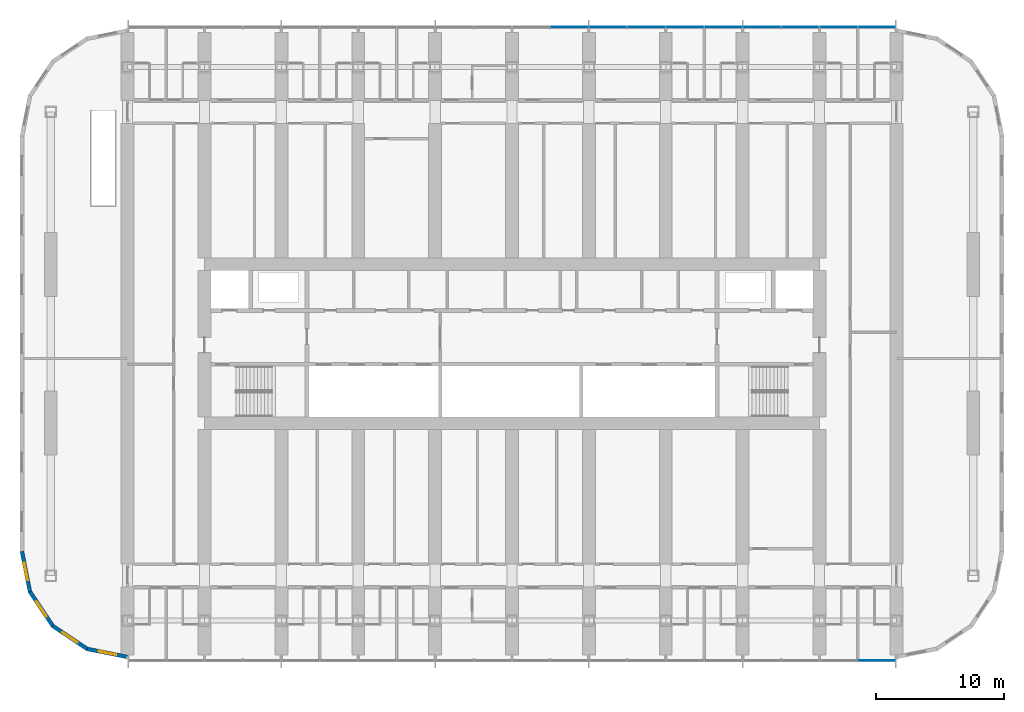
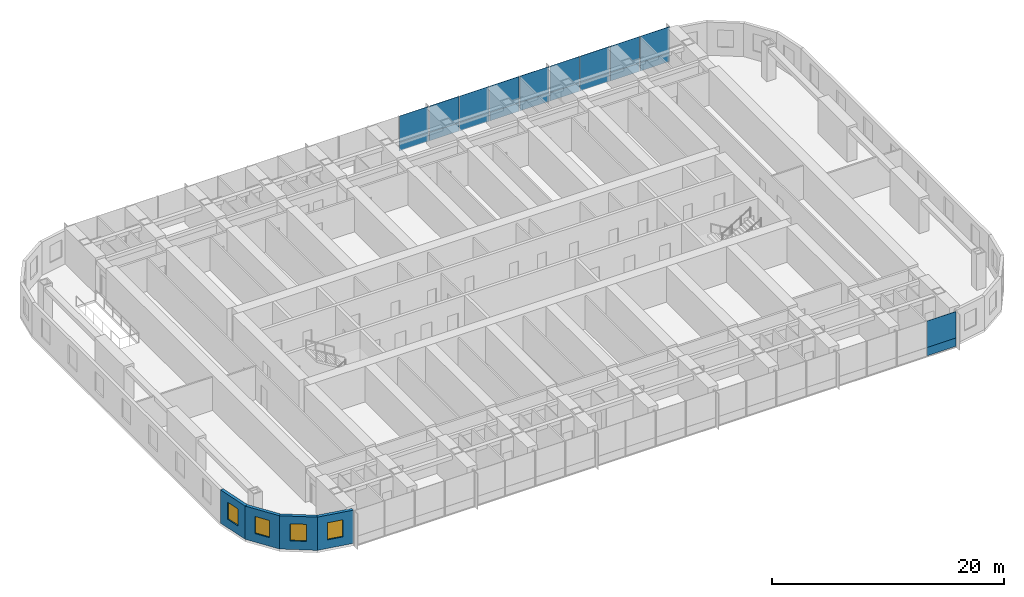
# One storey, part 9 of 23: 20 plates, 4 walls, 4 windows, 4 openings, 2 elements without a shape of their own.
"""IFC4 building model written with IfcOpenShell, lengths in metres."""

from ifc_helpers import new_model, si_unit, direction, frame, frame_2d, origin, origin_2d, place, context, subcontext, project, spatial, polyline, rectangle, outline, extrude, material, layer, layer_set, type_object, element, fill, aggregate, save


model = new_model("IFC4")

# Units and contexts
model_context = context("Model", 3, precision=1e-05, world=origin(), true_north=direction((0.0, 1.0)))
body_context = subcontext(model_context, "Body", "Model", "MODEL_VIEW")
ifc_project = project(units=[si_unit("LENGTHUNIT", "METRE"), si_unit("AREAUNIT", "SQUARE_METRE"), si_unit("VOLUMEUNIT", "CUBIC_METRE"), si_unit("PLANEANGLEUNIT", "RADIAN"), si_unit("MASSUNIT", "GRAM", prefix="KILO")], contexts=[model_context])

# Site, building, storey
site_placement = place(None, origin())
site = spatial("IfcSite", under=ifc_project, at=site_placement, CompositionType="ELEMENT")
building_placement = place(site_placement, origin())
building = spatial("IfcBuilding", under=site, at=building_placement, Name="Orbita Commons", CompositionType="ELEMENT")
storey_placement = place(building_placement, frame((0.0, 0.0, 42.699951171875)))
storey = spatial("IfcBuildingStorey", under=building, at=storey_placement, Name="L10", CompositionType="ELEMENT", Elevation=42.699951171875)

# Curtain wall, plate
ifc_material_1 = material(Name="Anodised aluminium frame, pale silver", Category="aluminium")
curtain_wall_type = type_object("IfcCurtainWallType", Name="Unitised curtain wall CW-T, vision and spandrel", PredefinedType="NOTDEFINED", material=ifc_material_1)
curtain_wall_1_placement = place(storey_placement, origin())
curtain_wall_1 = element("IfcCurtainWall", 1, at=curtain_wall_1_placement, inside=storey, type_object=curtain_wall_type, Name="Curtain wall south L10", PredefinedType="NOTDEFINED")
ifc_material_2 = material(Name="Anodised aluminium sheet on mineral wool", Category="aluminium")
ifc_layer_1 = layer(ifc_material_2, 0.050048828125)
ifc_layer_set_1 = layer_set([ifc_layer_1], Name="Anodised aluminium sheet on mineral wool")
plate_type_1 = type_object("IfcPlateType", Name="Spandrel panel, pale aluminium over insulation 50", PredefinedType="CURTAIN_PANEL", material=ifc_layer_set_1)
plate_1_placement = place(storey_placement, frame((70.47998046875, 7.2900390625, -0.14990234375), z_axis=(0.0, 0.0, 1.0), x_axis=(1.0, 0.0, 0.0)))
plate_1 = element("IfcPlate", 2, at=plate_1_placement, type_object=plate_type_1, Name="Panel 20.1 CW-L10-S", PredefinedType="CURTAIN_PANEL", context=body_context, shape_type="SweptSolid", body=[
    extrude(rectangle(XDim=2.8798828125, YDim=0.050048828125, at=origin_2d()), origin(), (0.0, 0.0, 1.0), 0.875),
])

# Curtain wall, plates
curtain_wall_2_placement = place(storey_placement, origin())
curtain_wall_2 = element("IfcCurtainWall", 3, at=curtain_wall_2_placement, inside=storey, type_object=curtain_wall_type, Name="Curtain wall north L10", PredefinedType="NOTDEFINED")
plate_2_placement = place(storey_placement, frame((70.47998046875, 56.7099609375, -0.14990234375), z_axis=(0.0, 0.0, 1.0), x_axis=(-1.0, 0.0, 0.0)))
plate_2 = element("IfcPlate", 4, at=plate_2_placement, type_object=plate_type_1, Name="Panel 1.1 CW-L10-N", PredefinedType="CURTAIN_PANEL", context=body_context, shape_type="SweptSolid", body=[
    extrude(rectangle(XDim=2.8798828125, YDim=0.050048828125, at=origin_2d()), origin(), (0.0, 0.0, 1.0), 0.875),
])
plate_3_placement = place(storey_placement, frame((67.5, 56.7099609375, -0.14990234375), z_axis=(0.0, 0.0, 1.0), x_axis=(-1.0, 0.0, 0.0)))
plate_3 = element("IfcPlate", 5, at=plate_3_placement, type_object=plate_type_1, Name="Panel 2.1 CW-L10-N", PredefinedType="CURTAIN_PANEL", context=body_context, shape_type="SweptSolid", body=[
    extrude(rectangle(XDim=2.919921875, YDim=0.050048828125, at=origin_2d()), origin(), (0.0, 0.0, 1.0), 0.875),
])
plate_4_placement = place(storey_placement, frame((64.5, 56.7099609375, -0.14990234375), z_axis=(0.0, 0.0, 1.0), x_axis=(-1.0, 0.0, 0.0)))
plate_4 = element("IfcPlate", 6, at=plate_4_placement, type_object=plate_type_1, Name="Panel 3.1 CW-L10-N", PredefinedType="CURTAIN_PANEL", context=body_context, shape_type="SweptSolid", body=[
    extrude(rectangle(XDim=2.919921875, YDim=0.050048828125, at=origin_2d()), origin(), (0.0, 0.0, 1.0), 0.875),
])
plate_5_placement = place(storey_placement, frame((61.5, 56.7099609375, -0.14990234375), z_axis=(0.0, 0.0, 1.0), x_axis=(-1.0, 0.0, 0.0)))
plate_5 = element("IfcPlate", 7, at=plate_5_placement, type_object=plate_type_1, Name="Panel 4.1 CW-L10-N", PredefinedType="CURTAIN_PANEL", context=body_context, shape_type="SweptSolid", body=[
    extrude(rectangle(XDim=2.919921875, YDim=0.050048828125, at=origin_2d()), origin(), (0.0, 0.0, 1.0), 0.875),
])
plate_6_placement = place(storey_placement, frame((58.5, 56.7099609375, -0.14990234375), z_axis=(0.0, 0.0, 1.0), x_axis=(-1.0, 0.0, 0.0)))
plate_6 = element("IfcPlate", 8, at=plate_6_placement, type_object=plate_type_1, Name="Panel 5.1 CW-L10-N", PredefinedType="CURTAIN_PANEL", context=body_context, shape_type="SweptSolid", body=[
    extrude(rectangle(XDim=2.919921875, YDim=0.050048828125, at=origin_2d()), origin(), (0.0, 0.0, 1.0), 0.875),
])
plate_7_placement = place(storey_placement, frame((55.5, 56.7099609375, -0.14990234375), z_axis=(0.0, 0.0, 1.0), x_axis=(-1.0, 0.0, 0.0)))
plate_7 = element("IfcPlate", 9, at=plate_7_placement, type_object=plate_type_1, Name="Panel 6.1 CW-L10-N", PredefinedType="CURTAIN_PANEL", context=body_context, shape_type="SweptSolid", body=[
    extrude(rectangle(XDim=2.919921875, YDim=0.050048828125, at=origin_2d()), origin(), (0.0, 0.0, 1.0), 0.875),
])
plate_8_placement = place(storey_placement, frame((52.5, 56.7099609375, -0.14990234375), z_axis=(0.0, 0.0, 1.0), x_axis=(-1.0, 0.0, 0.0)))
plate_8 = element("IfcPlate", 10, at=plate_8_placement, type_object=plate_type_1, Name="Panel 7.1 CW-L10-N", PredefinedType="CURTAIN_PANEL", context=body_context, shape_type="SweptSolid", body=[
    extrude(rectangle(XDim=2.919921875, YDim=0.050048828125, at=origin_2d()), origin(), (0.0, 0.0, 1.0), 0.875),
])
plate_9_placement = place(storey_placement, frame((49.5, 56.7099609375, -0.14990234375), z_axis=(0.0, 0.0, 1.0), x_axis=(-1.0, 0.0, 0.0)))
plate_9 = element("IfcPlate", 11, at=plate_9_placement, type_object=plate_type_1, Name="Panel 8.1 CW-L10-N", PredefinedType="CURTAIN_PANEL", context=body_context, shape_type="SweptSolid", body=[
    extrude(rectangle(XDim=2.919921875, YDim=0.050048828125, at=origin_2d()), origin(), (0.0, 0.0, 1.0), 0.875),
])
plate_10_placement = place(storey_placement, frame((46.5, 56.7099609375, -0.14990234375), z_axis=(0.0, 0.0, 1.0), x_axis=(-1.0, 0.0, 0.0)))
plate_10 = element("IfcPlate", 12, at=plate_10_placement, type_object=plate_type_1, Name="Panel 9.1 CW-L10-N", PredefinedType="CURTAIN_PANEL", context=body_context, shape_type="SweptSolid", body=[
    extrude(rectangle(XDim=2.919921875, YDim=0.050048828125, at=origin_2d()), origin(), (0.0, 0.0, 1.0), 0.875),
])

# Plate
ifc_material_3 = material(Name="Clear double glazing", Category="glass")
ifc_layer_2 = layer(ifc_material_3, 0.031982421875)
ifc_layer_set_2 = layer_set([ifc_layer_2], Name="Clear double glazing")
plate_type_2 = type_object("IfcPlateType", Name="Vision panel, clear double glazing 32", PredefinedType="CURTAIN_PANEL", material=ifc_layer_set_2)
plate_11_placement = place(storey_placement, frame((70.47998046875, 7.2900390625, 0.72509765625), z_axis=(0.0, 0.0, 1.0), x_axis=(1.0, 0.0, 0.0)))
plate_11 = element("IfcPlate", 13, at=plate_11_placement, type_object=plate_type_2, Name="Panel 20.2 CW-L10-S", PredefinedType="CURTAIN_PANEL", context=body_context, shape_type="SweptSolid", body=[
    extrude(rectangle(XDim=2.8798828125, YDim=0.031982421875, at=origin_2d()), origin(), (0.0, 0.0, 1.0), 2.77490234375),
])

aggregate(curtain_wall_1, [plate_1, plate_11])

plate_12_placement = place(storey_placement, frame((70.47998046875, 56.7099609375, 0.72509765625), z_axis=(0.0, 0.0, 1.0), x_axis=(-1.0, 0.0, 0.0)))
plate_12 = element("IfcPlate", 14, at=plate_12_placement, type_object=plate_type_2, Name="Panel 1.2 CW-L10-N", PredefinedType="CURTAIN_PANEL", context=body_context, shape_type="SweptSolid", body=[
    extrude(rectangle(XDim=2.8798828125, YDim=0.031982421875, at=origin_2d()), origin(), (0.0, 0.0, 1.0), 2.77490234375),
])

plate_13_placement = place(storey_placement, frame((67.5, 56.7099609375, 0.72509765625), z_axis=(0.0, 0.0, 1.0), x_axis=(-1.0, 0.0, 0.0)))
plate_13 = element("IfcPlate", 15, at=plate_13_placement, type_object=plate_type_2, Name="Panel 2.2 CW-L10-N", PredefinedType="CURTAIN_PANEL", context=body_context, shape_type="SweptSolid", body=[
    extrude(rectangle(XDim=2.919921875, YDim=0.031982421875, at=origin_2d()), origin(), (0.0, 0.0, 1.0), 2.77490234375),
])

plate_14_placement = place(storey_placement, frame((64.5, 56.7099609375, 0.72509765625), z_axis=(0.0, 0.0, 1.0), x_axis=(-1.0, 0.0, 0.0)))
plate_14 = element("IfcPlate", 16, at=plate_14_placement, type_object=plate_type_2, Name="Panel 3.2 CW-L10-N", PredefinedType="CURTAIN_PANEL", context=body_context, shape_type="SweptSolid", body=[
    extrude(rectangle(XDim=2.919921875, YDim=0.031982421875, at=origin_2d()), origin(), (0.0, 0.0, 1.0), 2.77490234375),
])

plate_15_placement = place(storey_placement, frame((61.5, 56.7099609375, 0.72509765625), z_axis=(0.0, 0.0, 1.0), x_axis=(-1.0, 0.0, 0.0)))
plate_15 = element("IfcPlate", 17, at=plate_15_placement, type_object=plate_type_2, Name="Panel 4.2 CW-L10-N", PredefinedType="CURTAIN_PANEL", context=body_context, shape_type="SweptSolid", body=[
    extrude(rectangle(XDim=2.919921875, YDim=0.031982421875, at=origin_2d()), origin(), (0.0, 0.0, 1.0), 2.77490234375),
])

plate_16_placement = place(storey_placement, frame((58.5, 56.7099609375, 0.72509765625), z_axis=(0.0, 0.0, 1.0), x_axis=(-1.0, 0.0, 0.0)))
plate_16 = element("IfcPlate", 18, at=plate_16_placement, type_object=plate_type_2, Name="Panel 5.2 CW-L10-N", PredefinedType="CURTAIN_PANEL", context=body_context, shape_type="SweptSolid", body=[
    extrude(rectangle(XDim=2.919921875, YDim=0.031982421875, at=origin_2d()), origin(), (0.0, 0.0, 1.0), 2.77490234375),
])

plate_17_placement = place(storey_placement, frame((55.5, 56.7099609375, 0.72509765625), z_axis=(0.0, 0.0, 1.0), x_axis=(-1.0, 0.0, 0.0)))
plate_17 = element("IfcPlate", 19, at=plate_17_placement, type_object=plate_type_2, Name="Panel 6.2 CW-L10-N", PredefinedType="CURTAIN_PANEL", context=body_context, shape_type="SweptSolid", body=[
    extrude(rectangle(XDim=2.919921875, YDim=0.031982421875, at=origin_2d()), origin(), (0.0, 0.0, 1.0), 2.77490234375),
])

plate_18_placement = place(storey_placement, frame((52.5, 56.7099609375, 0.72509765625), z_axis=(0.0, 0.0, 1.0), x_axis=(-1.0, 0.0, 0.0)))
plate_18 = element("IfcPlate", 20, at=plate_18_placement, type_object=plate_type_2, Name="Panel 7.2 CW-L10-N", PredefinedType="CURTAIN_PANEL", context=body_context, shape_type="SweptSolid", body=[
    extrude(rectangle(XDim=2.919921875, YDim=0.031982421875, at=origin_2d()), origin(), (0.0, 0.0, 1.0), 2.77490234375),
])

plate_19_placement = place(storey_placement, frame((49.5, 56.7099609375, 0.72509765625), z_axis=(0.0, 0.0, 1.0), x_axis=(-1.0, 0.0, 0.0)))
plate_19 = element("IfcPlate", 21, at=plate_19_placement, type_object=plate_type_2, Name="Panel 8.2 CW-L10-N", PredefinedType="CURTAIN_PANEL", context=body_context, shape_type="SweptSolid", body=[
    extrude(rectangle(XDim=2.919921875, YDim=0.031982421875, at=origin_2d()), origin(), (0.0, 0.0, 1.0), 2.77490234375),
])

plate_20_placement = place(storey_placement, frame((46.5, 56.7099609375, 0.72509765625), z_axis=(0.0, 0.0, 1.0), x_axis=(-1.0, 0.0, 0.0)))
plate_20 = element("IfcPlate", 22, at=plate_20_placement, type_object=plate_type_2, Name="Panel 9.2 CW-L10-N", PredefinedType="CURTAIN_PANEL", context=body_context, shape_type="SweptSolid", body=[
    extrude(rectangle(XDim=2.919921875, YDim=0.031982421875, at=origin_2d()), origin(), (0.0, 0.0, 1.0), 2.77490234375),
])

aggregate(curtain_wall_2, [plate_2, plate_12, plate_3, plate_13, plate_4, plate_14, plate_5, plate_15, plate_6, plate_16, plate_7, plate_17, plate_8, plate_18, plate_9, plate_19, plate_10, plate_20])

# Wall, opening, window
ifc_material_4 = material(Name="Precast concrete C40/50, white board-marked finish", Category="concrete")
ifc_layer_3 = layer(ifc_material_4, 0.300048828125)
ifc_layer_set_3 = layer_set([ifc_layer_3], Name="Precast concrete C40/50, white board-marked finish")
wall_type = type_object("IfcWallType", Name="Precast concrete end shield 300", PredefinedType="SOLIDWALL", material=ifc_layer_set_3)
wall_1_placement = place(storey_placement, frame((3.75, 15.800048828125, 0.0), z_axis=(0.0, 0.0, 1.0), x_axis=(0.195065901187, -0.980790137692, 0.0)))
wall_1 = element("IfcWall", 23, at=wall_1_placement, inside=storey, type_object=wall_type, Name="End shield SW chord 1 L10", PredefinedType="SOLIDWALL", context=body_context, shape_type="SweptSolid", body=[
    extrude(outline(polyline([(-0.014892578125, -0.14990234375), (3.248779296875, -0.14990234375), (3.189208984375, 0.14990234375), (0.014892578125, 0.14990234375), (-0.014892578125, -0.14990234375)])), origin(), (0.0, 0.0, 1.0), 3.5),
])
opening_1_placement = place(wall_1_placement, frame((0.909423828125, 0.0, 0.89990234375)))
opening_1 = element("IfcOpeningElement", 24, at=opening_1_placement, cuts=wall_1, Name="Opening W02", PredefinedType="OPENING", context=body_context, shape_type="SweptSolid", body=[
    extrude(rectangle(XDim=1.39990234375, YDim=1.800048828125, at=frame_2d((0.699951171875, 0.89990234375))), frame((0.0, 0.159912109375, 0.0), z_axis=(0.0, -1.0, 0.0), x_axis=(1.0, 0.0, 0.0)), (0.0, 0.0, 1.0), 0.320068359375),
])
ifc_material_5 = material(Name="Aluminium frame, clear double glazing", Category="aluminium")
window_type = type_object("IfcWindowType", Name="Deep-set window 1400x1800", PartitioningType="SINGLE_PANEL", PredefinedType="WINDOW", material=ifc_material_5)
window_1_placement = place(opening_1_placement, origin())
window_1 = element("IfcWindow", 25, at=window_1_placement, inside=storey, type_object=window_type, Name="Window L10-SW0", OverallHeight=1.800048828125, OverallWidth=1.39990234375, PartitioningType="SINGLE_PANEL", PredefinedType="WINDOW", context=body_context, shape_type="SweptSolid", body=[
    extrude(rectangle(XDim=1.39990234375, YDim=1.800048828125, at=frame_2d((0.699951171875, 0.89990234375))), frame((0.0, 0.030029296875, 0.0), z_axis=(0.0, -1.0, 0.0), x_axis=(1.0, 0.0, 0.0)), (0.0, 0.0, 1.0), 0.06005859375),
])
fill(opening_1, window_1)

wall_2_placement = place(storey_placement, frame((4.3779296875, 12.642822265625, 0.0), z_axis=(0.0, 0.0, 1.0), x_axis=(0.555609954424, -0.831443069936, 0.0)))
wall_2 = element("IfcWall", 26, at=wall_2_placement, inside=storey, type_object=wall_type, Name="End shield SW chord 2 L10", PredefinedType="SOLIDWALL", context=body_context, shape_type="SweptSolid", body=[
    extrude(outline(polyline([(-0.02978515625, -0.14990234375), (3.2490234375, -0.14990234375), (3.189453125, 0.14990234375), (0.02978515625, 0.14990234375), (-0.02978515625, -0.14990234375)])), origin(), (0.0, 0.0, 1.0), 3.5),
])
opening_2_placement = place(wall_2_placement, frame((0.909423828125, 0.0, 0.89990234375)))
opening_2 = element("IfcOpeningElement", 27, at=opening_2_placement, cuts=wall_2, Name="Opening W02", PredefinedType="OPENING", context=body_context, shape_type="SweptSolid", body=[
    extrude(rectangle(XDim=1.39990234375, YDim=1.800048828125, at=frame_2d((0.699951171875, 0.89990234375))), frame((0.0, 0.159912109375, 0.0), z_axis=(0.0, -1.0, 0.0), x_axis=(1.0, 0.0, 0.0)), (0.0, 0.0, 1.0), 0.320068359375),
])
window_2_placement = place(opening_2_placement, origin())
window_2 = element("IfcWindow", 28, at=window_2_placement, inside=storey, type_object=window_type, Name="Window L10-SW1", OverallHeight=1.800048828125, OverallWidth=1.39990234375, PartitioningType="SINGLE_PANEL", PredefinedType="WINDOW", context=body_context, shape_type="SweptSolid", body=[
    extrude(rectangle(XDim=1.39990234375, YDim=1.800048828125, at=frame_2d((0.699951171875, 0.89990234375))), frame((0.0, 0.030029296875, 0.0), z_axis=(0.0, -1.0, 0.0), x_axis=(1.0, 0.0, 0.0)), (0.0, 0.0, 1.0), 0.06005859375),
])
fill(opening_2, window_2)

wall_3_placement = place(storey_placement, frame((6.16650390625, 9.96630859375, 0.0), z_axis=(0.0, 0.0, 1.0), x_axis=(0.831478105043, -0.555557522525, 0.0)))
wall_3 = element("IfcWall", 29, at=wall_3_placement, inside=storey, type_object=wall_type, Name="End shield SW chord 3 L10", PredefinedType="SOLIDWALL", context=body_context, shape_type="SweptSolid", body=[
    extrude(outline(polyline([(-0.02978515625, -0.14990234375), (3.248779296875, -0.14990234375), (3.189208984375, 0.14990234375), (0.02978515625, 0.14990234375), (-0.02978515625, -0.14990234375)])), origin(), (0.0, 0.0, 1.0), 3.5),
])
opening_3_placement = place(wall_3_placement, frame((0.909423828125, 0.0, 0.89990234375)))
opening_3 = element("IfcOpeningElement", 30, at=opening_3_placement, cuts=wall_3, Name="Opening W02", PredefinedType="OPENING", context=body_context, shape_type="SweptSolid", body=[
    extrude(rectangle(XDim=1.39990234375, YDim=1.800048828125, at=frame_2d((0.699951171875, 0.89990234375))), frame((0.0, 0.159912109375, 0.0), z_axis=(0.0, -1.0, 0.0), x_axis=(1.0, 0.0, 0.0)), (0.0, 0.0, 1.0), 0.320068359375),
])
window_3_placement = place(opening_3_placement, origin())
window_3 = element("IfcWindow", 31, at=window_3_placement, inside=storey, type_object=window_type, Name="Window L10-SW2", OverallHeight=1.800048828125, OverallWidth=1.39990234375, PartitioningType="SINGLE_PANEL", PredefinedType="WINDOW", context=body_context, shape_type="SweptSolid", body=[
    extrude(rectangle(XDim=1.39990234375, YDim=1.800048828125, at=frame_2d((0.699951171875, 0.89990234375))), frame((0.0, 0.030029296875, 0.0), z_axis=(0.0, -1.0, 0.0), x_axis=(1.0, 0.0, 0.0)), (0.0, 0.0, 1.0), 0.06005859375),
])
fill(opening_3, window_3)

wall_4_placement = place(storey_placement, frame((8.843017578125, 8.177978515625, 0.0), z_axis=(0.0, 0.0, 1.0), x_axis=(0.980787251524, -0.195080412259, 0.0)))
wall_4 = element("IfcWall", 32, at=wall_4_placement, inside=storey, type_object=wall_type, Name="End shield SW chord 4 L10", PredefinedType="SOLIDWALL", context=body_context, shape_type="SweptSolid", body=[
    extrude(outline(polyline([(-0.02978515625, -0.14990234375), (3.24853515625, -0.14990234375), (3.18896484375, 0.14990234375), (0.02978515625, 0.14990234375), (-0.02978515625, -0.14990234375)])), origin(), (0.0, 0.0, 1.0), 3.5),
])
opening_4_placement = place(wall_4_placement, frame((0.909423828125, 0.0, 0.89990234375)))
opening_4 = element("IfcOpeningElement", 33, at=opening_4_placement, cuts=wall_4, Name="Opening W02", PredefinedType="OPENING", context=body_context, shape_type="SweptSolid", body=[
    extrude(rectangle(XDim=1.39990234375, YDim=1.800048828125, at=frame_2d((0.699951171875, 0.89990234375))), frame((0.0, 0.159912109375, 0.0), z_axis=(0.0, -1.0, 0.0), x_axis=(1.0, 0.0, 0.0)), (0.0, 0.0, 1.0), 0.320068359375),
])
window_4_placement = place(opening_4_placement, origin())
window_4 = element("IfcWindow", 34, at=window_4_placement, inside=storey, type_object=window_type, Name="Window L10-SW3", OverallHeight=1.800048828125, OverallWidth=1.39990234375, PartitioningType="SINGLE_PANEL", PredefinedType="WINDOW", context=body_context, shape_type="SweptSolid", body=[
    extrude(rectangle(XDim=1.39990234375, YDim=1.800048828125, at=frame_2d((0.699951171875, 0.89990234375))), frame((0.0, 0.030029296875, 0.0), z_axis=(0.0, -1.0, 0.0), x_axis=(1.0, 0.0, 0.0)), (0.0, 0.0, 1.0), 0.06005859375),
])
fill(opening_4, window_4)

save(model, "model.ifc")
